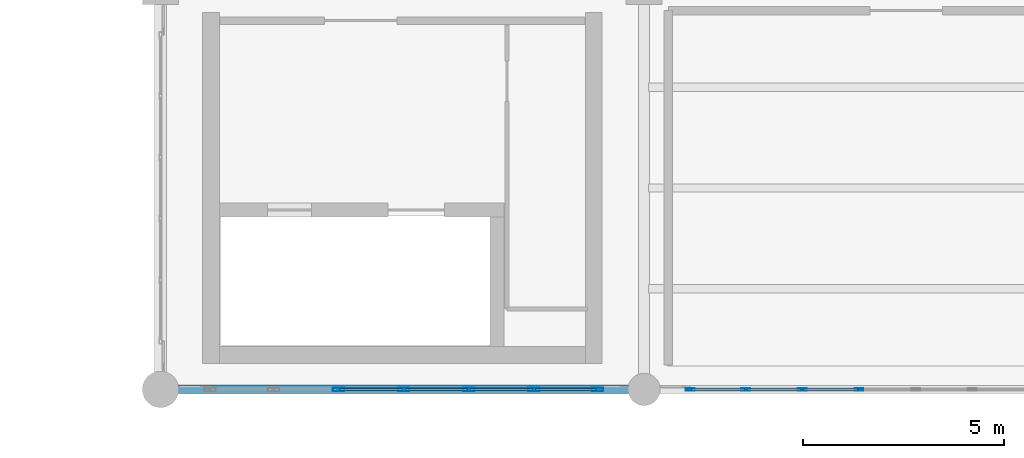
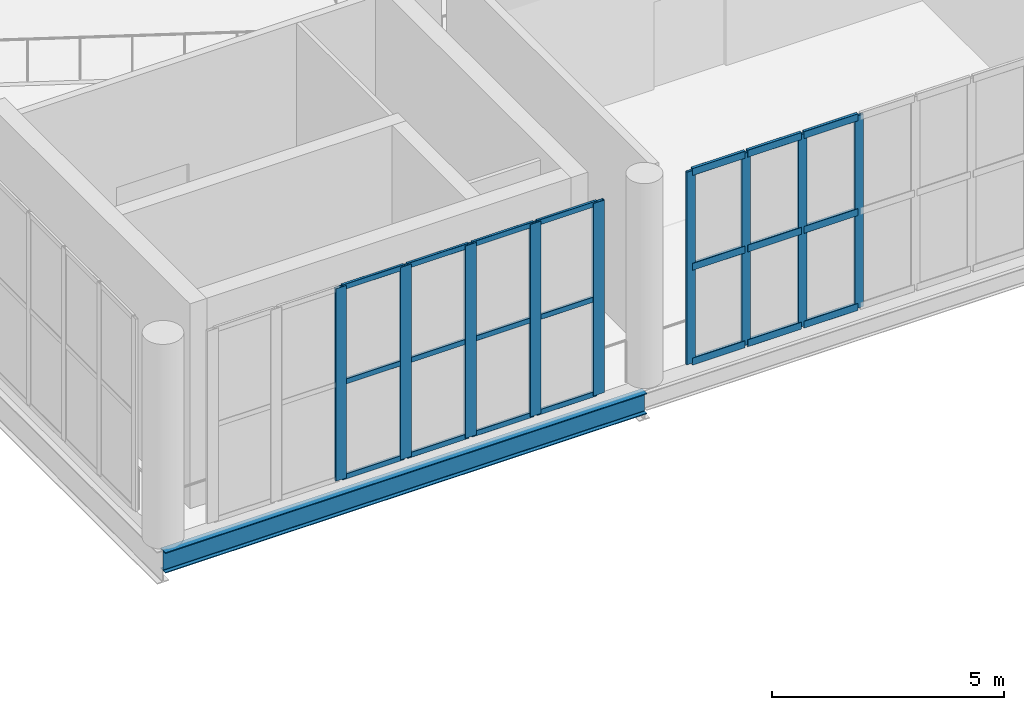
# One storey, part 9 of 74: 30 members, 1 beam, 2 elements without a shape of their own.
"""IFC4 building model written with IfcOpenShell, lengths in metres."""

from ifc_helpers import new_model, si_unit, direction, frame, origin, origin_2d, place, context, subcontext, project, spatial, hollow_rectangle, i_section, extrude, material, layer, layer_set, material_profile, profile_set, type_object, element, aggregate, save


model = new_model("IFC4")

# Units and contexts
model_context = context("Model", 3, precision=1e-05, world=origin(), true_north=direction((0.0, 1.0)))
body_context = subcontext(model_context, "Body", "Model", "MODEL_VIEW")
ifc_project = project(units=[si_unit("LENGTHUNIT", "METRE"), si_unit("AREAUNIT", "SQUARE_METRE"), si_unit("VOLUMEUNIT", "CUBIC_METRE"), si_unit("PLANEANGLEUNIT", "RADIAN"), si_unit("MASSUNIT", "GRAM", prefix="KILO")], contexts=[model_context])

# Site, building, storey
site_placement = place(None, origin())
site = spatial("IfcSite", under=ifc_project, at=site_placement, CompositionType="ELEMENT")
building_placement = place(site_placement, origin())
building = spatial("IfcBuilding", under=site, at=building_placement, Name="Brinegate Civic Arena", CompositionType="ELEMENT")
storey_placement = place(building_placement, frame((0.0, 0.0, 19.199951171875)))
storey = spatial("IfcBuildingStorey", under=building, at=storey_placement, Name="L04", CompositionType="ELEMENT", Elevation=19.199951171875)

# Curtain wall, members
ifc_material_1 = material(Name="Marine grade aluminium", Category="aluminium")
ifc_layer = layer(ifc_material_1, 0.25, Name="Marine grade aluminium")
ifc_layer_set = layer_set([ifc_layer], Name="Marine grade aluminium")
curtain_wall_type = type_object("IfcCurtainWallType", Name="CW-PORTAL-SOUTH-02", PredefinedType="USERDEFINED", material=ifc_layer_set)
curtain_wall_1_placement = place(storey_placement, origin())
curtain_wall_1 = element("IfcCurtainWall", 1, at=curtain_wall_1_placement, inside=storey, type_object=curtain_wall_type, Name="Curtain Wall CWA-147", ObjectType="PORTAL CURTAIN WALL", PredefinedType="USERDEFINED")
ifc_material_profile_1 = material_profile(ifc_material_1, hollow_rectangle(XDim=0.06494140625, YDim=0.219970703125, WallThickness=0.006103515625, InnerFilletRadius=0.00390625, OuterFilletRadius=0.008056640625, at=origin_2d()), Name="MUL65X220")
ifc_profile_set_1 = profile_set([ifc_material_profile_1], Name="Marine grade aluminium")
member_type_1 = type_object("IfcMemberType", Name="CW-MULLION-65X220", PredefinedType="MULLION", material=ifc_profile_set_1)
member_1_placement = place(storey_placement, frame((97.1484375, 0.0, 0.0), z_axis=(0.0, 0.0, 1.0), x_axis=(0.0, 1.0, 0.0)))
member_1 = element("IfcMember", 2, at=member_1_placement, type_object=member_type_1, Name="CWA-147 mullion 1", PredefinedType="MULLION", context=body_context, shape_type="SweptSolid", body=[
    extrude(hollow_rectangle(XDim=0.06494140625, YDim=0.219970703125, WallThickness=0.006103515625, InnerFilletRadius=0.00390625, OuterFilletRadius=0.008056640625, at=origin_2d()), origin(), (0.0, 0.0, 1.0), 5.070068359375),
])
member_2_placement = place(storey_placement, frame((98.521484375, 0.0, 0.0), z_axis=(0.0, 0.0, 1.0), x_axis=(0.0, 1.0, 0.0)))
member_2 = element("IfcMember", 3, at=member_2_placement, type_object=member_type_1, Name="CWA-147 mullion 2", PredefinedType="MULLION", context=body_context, shape_type="SweptSolid", body=[
    extrude(hollow_rectangle(XDim=0.06494140625, YDim=0.219970703125, WallThickness=0.006103515625, InnerFilletRadius=0.00390625, OuterFilletRadius=0.008056640625, at=origin_2d()), origin(), (0.0, 0.0, 1.0), 5.070068359375),
])
member_3_placement = place(storey_placement, frame((99.92724609375, 0.0, 0.0), z_axis=(0.0, 0.0, 1.0), x_axis=(0.0, 1.0, 0.0)))
member_3 = element("IfcMember", 4, at=member_3_placement, type_object=member_type_1, Name="CWA-147 mullion 3", PredefinedType="MULLION", context=body_context, shape_type="SweptSolid", body=[
    extrude(hollow_rectangle(XDim=0.06494140625, YDim=0.219970703125, WallThickness=0.006103515625, InnerFilletRadius=0.00390625, OuterFilletRadius=0.008056640625, at=origin_2d()), origin(), (0.0, 0.0, 1.0), 5.070068359375),
])
member_4_placement = place(storey_placement, frame((101.332763671875, 0.0, 0.0), z_axis=(0.0, 0.0, 1.0), x_axis=(0.0, 1.0, 0.0)))
member_4 = element("IfcMember", 5, at=member_4_placement, type_object=member_type_1, Name="CWA-147 mullion 4", PredefinedType="MULLION", context=body_context, shape_type="SweptSolid", body=[
    extrude(hollow_rectangle(XDim=0.06494140625, YDim=0.219970703125, WallThickness=0.006103515625, InnerFilletRadius=0.00390625, OuterFilletRadius=0.008056640625, at=origin_2d()), origin(), (0.0, 0.0, 1.0), 5.070068359375),
])

curtain_wall_2_placement = place(storey_placement, origin())
curtain_wall_2 = element("IfcCurtainWall", 6, at=curtain_wall_2_placement, inside=storey, type_object=curtain_wall_type, Name="Curtain Wall CWA-145", ObjectType="PORTAL CURTAIN WALL", PredefinedType="USERDEFINED")
ifc_material_profile_2 = material_profile(ifc_material_1, hollow_rectangle(XDim=0.080078125, YDim=0.280029296875, WallThickness=0.007080078125, InnerFilletRadius=0.0048828125, OuterFilletRadius=0.010009765625, at=origin_2d()), Name="MUL80X280")
ifc_profile_set_2 = profile_set([ifc_material_profile_2], Name="Marine grade aluminium")
member_type_2 = type_object("IfcMemberType", Name="CW-MULLION-80X280", PredefinedType="MULLION", material=ifc_profile_set_2)
member_5_placement = place(storey_placement, frame((88.418701171875, 0.0, 0.0), z_axis=(0.0, 0.0, 1.0), x_axis=(0.0, 1.0, 0.0)))
member_5 = element("IfcMember", 7, at=member_5_placement, type_object=member_type_2, Name="CWA-145 mullion 3", PredefinedType="MULLION", context=body_context, shape_type="SweptSolid", body=[
    extrude(hollow_rectangle(XDim=0.080078125, YDim=0.280029296875, WallThickness=0.007080078125, InnerFilletRadius=0.0048828125, OuterFilletRadius=0.010009765625, at=origin_2d()), origin(), (0.0, 0.0, 1.0), 5.070068359375),
])
member_6_placement = place(storey_placement, frame((90.034912109375, 0.0, 0.0), z_axis=(0.0, 0.0, 1.0), x_axis=(0.0, 1.0, 0.0)))
member_6 = element("IfcMember", 8, at=member_6_placement, type_object=member_type_2, Name="CWA-145 mullion 4", PredefinedType="MULLION", context=body_context, shape_type="SweptSolid", body=[
    extrude(hollow_rectangle(XDim=0.080078125, YDim=0.280029296875, WallThickness=0.007080078125, InnerFilletRadius=0.0048828125, OuterFilletRadius=0.010009765625, at=origin_2d()), origin(), (0.0, 0.0, 1.0), 5.070068359375),
])
member_7_placement = place(storey_placement, frame((91.6513671875, 0.0, 0.0), z_axis=(0.0, 0.0, 1.0), x_axis=(0.0, 1.0, 0.0)))
member_7 = element("IfcMember", 9, at=member_7_placement, type_object=member_type_2, Name="CWA-145 mullion 5", PredefinedType="MULLION", context=body_context, shape_type="SweptSolid", body=[
    extrude(hollow_rectangle(XDim=0.080078125, YDim=0.280029296875, WallThickness=0.007080078125, InnerFilletRadius=0.0048828125, OuterFilletRadius=0.010009765625, at=origin_2d()), origin(), (0.0, 0.0, 1.0), 5.070068359375),
])
member_8_placement = place(storey_placement, frame((93.267578125, 0.0, 0.0), z_axis=(0.0, 0.0, 1.0), x_axis=(0.0, 1.0, 0.0)))
member_8 = element("IfcMember", 10, at=member_8_placement, type_object=member_type_2, Name="CWA-145 mullion 6", PredefinedType="MULLION", context=body_context, shape_type="SweptSolid", body=[
    extrude(hollow_rectangle(XDim=0.080078125, YDim=0.280029296875, WallThickness=0.007080078125, InnerFilletRadius=0.0048828125, OuterFilletRadius=0.010009765625, at=origin_2d()), origin(), (0.0, 0.0, 1.0), 5.070068359375),
])
member_9_placement = place(storey_placement, frame((94.843994140625, 0.0, 0.0), z_axis=(0.0, 0.0, 1.0), x_axis=(0.0, 1.0, 0.0)))
member_9 = element("IfcMember", 11, at=member_9_placement, type_object=member_type_2, Name="CWA-145 mullion 7", PredefinedType="MULLION", context=body_context, shape_type="SweptSolid", body=[
    extrude(hollow_rectangle(XDim=0.080078125, YDim=0.280029296875, WallThickness=0.007080078125, InnerFilletRadius=0.0048828125, OuterFilletRadius=0.010009765625, at=origin_2d()), origin(), (0.0, 0.0, 1.0), 5.070068359375),
])
ifc_material_profile_3 = material_profile(ifc_material_1, hollow_rectangle(XDim=0.06494140625, YDim=0.139892578125, WallThickness=0.0048828125, InnerFilletRadius=0.00390625, OuterFilletRadius=0.008056640625, at=origin_2d()), Name="TRN65X140")
ifc_profile_set_3 = profile_set([ifc_material_profile_3], Name="Marine grade aluminium")
member_type_3 = type_object("IfcMemberType", Name="CW-TRANSOM-65X140", PredefinedType="USERDEFINED", material=ifc_profile_set_3)
member_10_placement = place(storey_placement, frame((88.458740234375, 0.0, 0.032470703125), z_axis=(1.0, 0.0, 0.0), x_axis=(0.0, 1.0, 0.0)))
member_10 = element("IfcMember", 12, at=member_10_placement, type_object=member_type_3, Name="CWA-145 transom 3.1", ObjectType="TRANSOM", PredefinedType="USERDEFINED", context=body_context, shape_type="SweptSolid", body=[
    extrude(hollow_rectangle(XDim=0.06494140625, YDim=0.139892578125, WallThickness=0.0048828125, InnerFilletRadius=0.00390625, OuterFilletRadius=0.008056640625, at=origin_2d()), origin(), (0.0, 0.0, 1.0), 1.536376953125),
])
member_11_placement = place(storey_placement, frame((88.458740234375, 0.0, 2.53515625), z_axis=(1.0, 0.0, 0.0), x_axis=(0.0, 1.0, 0.0)))
member_11 = element("IfcMember", 13, at=member_11_placement, type_object=member_type_3, Name="CWA-145 transom 3.2", ObjectType="TRANSOM", PredefinedType="USERDEFINED", context=body_context, shape_type="SweptSolid", body=[
    extrude(hollow_rectangle(XDim=0.06494140625, YDim=0.139892578125, WallThickness=0.0048828125, InnerFilletRadius=0.00390625, OuterFilletRadius=0.008056640625, at=origin_2d()), origin(), (0.0, 0.0, 1.0), 1.536376953125),
])
member_12_placement = place(storey_placement, frame((88.458740234375, 0.0, 5.03759765625), z_axis=(1.0, 0.0, 0.0), x_axis=(0.0, 1.0, 0.0)))
member_12 = element("IfcMember", 14, at=member_12_placement, type_object=member_type_3, Name="CWA-145 transom 3.3", ObjectType="TRANSOM", PredefinedType="USERDEFINED", context=body_context, shape_type="SweptSolid", body=[
    extrude(hollow_rectangle(XDim=0.06494140625, YDim=0.139892578125, WallThickness=0.0048828125, InnerFilletRadius=0.00390625, OuterFilletRadius=0.008056640625, at=origin_2d()), origin(), (0.0, 0.0, 1.0), 1.536376953125),
])
member_13_placement = place(storey_placement, frame((90.074951171875, 0.0, 0.032470703125), z_axis=(1.0, 0.0, 0.0), x_axis=(0.0, 1.0, 0.0)))
member_13 = element("IfcMember", 15, at=member_13_placement, type_object=member_type_3, Name="CWA-145 transom 4.1", ObjectType="TRANSOM", PredefinedType="USERDEFINED", context=body_context, shape_type="SweptSolid", body=[
    extrude(hollow_rectangle(XDim=0.06494140625, YDim=0.139892578125, WallThickness=0.0048828125, InnerFilletRadius=0.00390625, OuterFilletRadius=0.008056640625, at=origin_2d()), origin(), (0.0, 0.0, 1.0), 1.536376953125),
])
member_14_placement = place(storey_placement, frame((90.074951171875, 0.0, 2.53515625), z_axis=(1.0, 0.0, 0.0), x_axis=(0.0, 1.0, 0.0)))
member_14 = element("IfcMember", 16, at=member_14_placement, type_object=member_type_3, Name="CWA-145 transom 4.2", ObjectType="TRANSOM", PredefinedType="USERDEFINED", context=body_context, shape_type="SweptSolid", body=[
    extrude(hollow_rectangle(XDim=0.06494140625, YDim=0.139892578125, WallThickness=0.0048828125, InnerFilletRadius=0.00390625, OuterFilletRadius=0.008056640625, at=origin_2d()), origin(), (0.0, 0.0, 1.0), 1.536376953125),
])
member_15_placement = place(storey_placement, frame((90.074951171875, 0.0, 5.03759765625), z_axis=(1.0, 0.0, 0.0), x_axis=(0.0, 1.0, 0.0)))
member_15 = element("IfcMember", 17, at=member_15_placement, type_object=member_type_3, Name="CWA-145 transom 4.3", ObjectType="TRANSOM", PredefinedType="USERDEFINED", context=body_context, shape_type="SweptSolid", body=[
    extrude(hollow_rectangle(XDim=0.06494140625, YDim=0.139892578125, WallThickness=0.0048828125, InnerFilletRadius=0.00390625, OuterFilletRadius=0.008056640625, at=origin_2d()), origin(), (0.0, 0.0, 1.0), 1.536376953125),
])
member_16_placement = place(storey_placement, frame((91.69140625, 0.0, 0.032470703125), z_axis=(1.0, 0.0, 0.0), x_axis=(0.0, 1.0, 0.0)))
member_16 = element("IfcMember", 18, at=member_16_placement, type_object=member_type_3, Name="CWA-145 transom 5.1", ObjectType="TRANSOM", PredefinedType="USERDEFINED", context=body_context, shape_type="SweptSolid", body=[
    extrude(hollow_rectangle(XDim=0.06494140625, YDim=0.139892578125, WallThickness=0.0048828125, InnerFilletRadius=0.00390625, OuterFilletRadius=0.008056640625, at=origin_2d()), origin(), (0.0, 0.0, 1.0), 1.536376953125),
])
member_17_placement = place(storey_placement, frame((91.69140625, 0.0, 2.53515625), z_axis=(1.0, 0.0, 0.0), x_axis=(0.0, 1.0, 0.0)))
member_17 = element("IfcMember", 19, at=member_17_placement, type_object=member_type_3, Name="CWA-145 transom 5.2", ObjectType="TRANSOM", PredefinedType="USERDEFINED", context=body_context, shape_type="SweptSolid", body=[
    extrude(hollow_rectangle(XDim=0.06494140625, YDim=0.139892578125, WallThickness=0.0048828125, InnerFilletRadius=0.00390625, OuterFilletRadius=0.008056640625, at=origin_2d()), origin(), (0.0, 0.0, 1.0), 1.536376953125),
])
member_18_placement = place(storey_placement, frame((91.69140625, 0.0, 5.03759765625), z_axis=(1.0, 0.0, 0.0), x_axis=(0.0, 1.0, 0.0)))
member_18 = element("IfcMember", 20, at=member_18_placement, type_object=member_type_3, Name="CWA-145 transom 5.3", ObjectType="TRANSOM", PredefinedType="USERDEFINED", context=body_context, shape_type="SweptSolid", body=[
    extrude(hollow_rectangle(XDim=0.06494140625, YDim=0.139892578125, WallThickness=0.0048828125, InnerFilletRadius=0.00390625, OuterFilletRadius=0.008056640625, at=origin_2d()), origin(), (0.0, 0.0, 1.0), 1.536376953125),
])
member_19_placement = place(storey_placement, frame((93.3076171875, 0.0, 0.032470703125), z_axis=(1.0, 0.0, 0.0), x_axis=(0.0, 1.0, 0.0)))
member_19 = element("IfcMember", 21, at=member_19_placement, type_object=member_type_3, Name="CWA-145 transom 6.1", ObjectType="TRANSOM", PredefinedType="USERDEFINED", context=body_context, shape_type="SweptSolid", body=[
    extrude(hollow_rectangle(XDim=0.06494140625, YDim=0.139892578125, WallThickness=0.0048828125, InnerFilletRadius=0.00390625, OuterFilletRadius=0.008056640625, at=origin_2d()), origin(), (0.0, 0.0, 1.0), 1.496337890625),
])
member_20_placement = place(storey_placement, frame((93.3076171875, 0.0, 2.53515625), z_axis=(1.0, 0.0, 0.0), x_axis=(0.0, 1.0, 0.0)))
member_20 = element("IfcMember", 22, at=member_20_placement, type_object=member_type_3, Name="CWA-145 transom 6.2", ObjectType="TRANSOM", PredefinedType="USERDEFINED", context=body_context, shape_type="SweptSolid", body=[
    extrude(hollow_rectangle(XDim=0.06494140625, YDim=0.139892578125, WallThickness=0.0048828125, InnerFilletRadius=0.00390625, OuterFilletRadius=0.008056640625, at=origin_2d()), origin(), (0.0, 0.0, 1.0), 1.496337890625),
])
member_21_placement = place(storey_placement, frame((93.3076171875, 0.0, 5.03759765625), z_axis=(1.0, 0.0, 0.0), x_axis=(0.0, 1.0, 0.0)))
member_21 = element("IfcMember", 23, at=member_21_placement, type_object=member_type_3, Name="CWA-145 transom 6.3", ObjectType="TRANSOM", PredefinedType="USERDEFINED", context=body_context, shape_type="SweptSolid", body=[
    extrude(hollow_rectangle(XDim=0.06494140625, YDim=0.139892578125, WallThickness=0.0048828125, InnerFilletRadius=0.00390625, OuterFilletRadius=0.008056640625, at=origin_2d()), origin(), (0.0, 0.0, 1.0), 1.496337890625),
])
aggregate(curtain_wall_2, [member_5, member_6, member_7, member_8, member_9, member_10, member_11, member_12, member_13, member_14, member_15, member_16, member_17, member_18, member_19, member_20, member_21])

# Member
ifc_material_profile_4 = material_profile(ifc_material_1, hollow_rectangle(XDim=0.074951171875, YDim=0.18994140625, WallThickness=0.006103515625, InnerFilletRadius=0.00390625, OuterFilletRadius=0.008056640625, at=origin_2d()), Name="TRN75X190")
ifc_profile_set_4 = profile_set([ifc_material_profile_4], Name="Marine grade aluminium")
member_type_4 = type_object("IfcMemberType", Name="CW-TRANSOM-75X190", PredefinedType="USERDEFINED", material=ifc_profile_set_4)
member_22_placement = place(storey_placement, frame((97.180908203125, 0.0, 0.03759765625), z_axis=(1.0, 0.0, 0.0), x_axis=(0.0, 1.0, 0.0)))
member_22 = element("IfcMember", 24, at=member_22_placement, type_object=member_type_4, Name="CWA-147 transom 1.1", ObjectType="TRANSOM", PredefinedType="USERDEFINED", context=body_context, shape_type="SweptSolid", body=[
    extrude(hollow_rectangle(XDim=0.074951171875, YDim=0.18994140625, WallThickness=0.006103515625, InnerFilletRadius=0.00390625, OuterFilletRadius=0.008056640625, at=origin_2d()), origin(), (0.0, 0.0, 1.0), 1.30810546875),
])

member_23_placement = place(storey_placement, frame((97.180908203125, 0.0, 2.53515625), z_axis=(1.0, 0.0, 0.0), x_axis=(0.0, 1.0, 0.0)))
member_23 = element("IfcMember", 25, at=member_23_placement, type_object=member_type_4, Name="CWA-147 transom 1.2", ObjectType="TRANSOM", PredefinedType="USERDEFINED", context=body_context, shape_type="SweptSolid", body=[
    extrude(hollow_rectangle(XDim=0.074951171875, YDim=0.18994140625, WallThickness=0.006103515625, InnerFilletRadius=0.00390625, OuterFilletRadius=0.008056640625, at=origin_2d()), origin(), (0.0, 0.0, 1.0), 1.30810546875),
])

member_24_placement = place(storey_placement, frame((97.180908203125, 0.0, 5.032470703125), z_axis=(1.0, 0.0, 0.0), x_axis=(0.0, 1.0, 0.0)))
member_24 = element("IfcMember", 26, at=member_24_placement, type_object=member_type_4, Name="CWA-147 transom 1.3", ObjectType="TRANSOM", PredefinedType="USERDEFINED", context=body_context, shape_type="SweptSolid", body=[
    extrude(hollow_rectangle(XDim=0.074951171875, YDim=0.18994140625, WallThickness=0.006103515625, InnerFilletRadius=0.00390625, OuterFilletRadius=0.008056640625, at=origin_2d()), origin(), (0.0, 0.0, 1.0), 1.30810546875),
])

member_25_placement = place(storey_placement, frame((98.553955078125, 0.0, 0.03759765625), z_axis=(1.0, 0.0, 0.0), x_axis=(0.0, 1.0, 0.0)))
member_25 = element("IfcMember", 27, at=member_25_placement, type_object=member_type_4, Name="CWA-147 transom 2.1", ObjectType="TRANSOM", PredefinedType="USERDEFINED", context=body_context, shape_type="SweptSolid", body=[
    extrude(hollow_rectangle(XDim=0.074951171875, YDim=0.18994140625, WallThickness=0.006103515625, InnerFilletRadius=0.00390625, OuterFilletRadius=0.008056640625, at=origin_2d()), origin(), (0.0, 0.0, 1.0), 1.340576171875),
])

member_26_placement = place(storey_placement, frame((98.553955078125, 0.0, 2.53515625), z_axis=(1.0, 0.0, 0.0), x_axis=(0.0, 1.0, 0.0)))
member_26 = element("IfcMember", 28, at=member_26_placement, type_object=member_type_4, Name="CWA-147 transom 2.2", ObjectType="TRANSOM", PredefinedType="USERDEFINED", context=body_context, shape_type="SweptSolid", body=[
    extrude(hollow_rectangle(XDim=0.074951171875, YDim=0.18994140625, WallThickness=0.006103515625, InnerFilletRadius=0.00390625, OuterFilletRadius=0.008056640625, at=origin_2d()), origin(), (0.0, 0.0, 1.0), 1.340576171875),
])

member_27_placement = place(storey_placement, frame((98.553955078125, 0.0, 5.032470703125), z_axis=(1.0, 0.0, 0.0), x_axis=(0.0, 1.0, 0.0)))
member_27 = element("IfcMember", 29, at=member_27_placement, type_object=member_type_4, Name="CWA-147 transom 2.3", ObjectType="TRANSOM", PredefinedType="USERDEFINED", context=body_context, shape_type="SweptSolid", body=[
    extrude(hollow_rectangle(XDim=0.074951171875, YDim=0.18994140625, WallThickness=0.006103515625, InnerFilletRadius=0.00390625, OuterFilletRadius=0.008056640625, at=origin_2d()), origin(), (0.0, 0.0, 1.0), 1.340576171875),
])

member_28_placement = place(storey_placement, frame((99.959716796875, 0.0, 0.03759765625), z_axis=(1.0, 0.0, 0.0), x_axis=(0.0, 1.0, 0.0)))
member_28 = element("IfcMember", 30, at=member_28_placement, type_object=member_type_4, Name="CWA-147 transom 3.1", ObjectType="TRANSOM", PredefinedType="USERDEFINED", context=body_context, shape_type="SweptSolid", body=[
    extrude(hollow_rectangle(XDim=0.074951171875, YDim=0.18994140625, WallThickness=0.006103515625, InnerFilletRadius=0.00390625, OuterFilletRadius=0.008056640625, at=origin_2d()), origin(), (0.0, 0.0, 1.0), 1.340576171875),
])

member_29_placement = place(storey_placement, frame((99.959716796875, 0.0, 2.53515625), z_axis=(1.0, 0.0, 0.0), x_axis=(0.0, 1.0, 0.0)))
member_29 = element("IfcMember", 31, at=member_29_placement, type_object=member_type_4, Name="CWA-147 transom 3.2", ObjectType="TRANSOM", PredefinedType="USERDEFINED", context=body_context, shape_type="SweptSolid", body=[
    extrude(hollow_rectangle(XDim=0.074951171875, YDim=0.18994140625, WallThickness=0.006103515625, InnerFilletRadius=0.00390625, OuterFilletRadius=0.008056640625, at=origin_2d()), origin(), (0.0, 0.0, 1.0), 1.340576171875),
])

member_30_placement = place(storey_placement, frame((99.959716796875, 0.0, 5.032470703125), z_axis=(1.0, 0.0, 0.0), x_axis=(0.0, 1.0, 0.0)))
member_30 = element("IfcMember", 32, at=member_30_placement, type_object=member_type_4, Name="CWA-147 transom 3.3", ObjectType="TRANSOM", PredefinedType="USERDEFINED", context=body_context, shape_type="SweptSolid", body=[
    extrude(hollow_rectangle(XDim=0.074951171875, YDim=0.18994140625, WallThickness=0.006103515625, InnerFilletRadius=0.00390625, OuterFilletRadius=0.008056640625, at=origin_2d()), origin(), (0.0, 0.0, 1.0), 1.340576171875),
])

aggregate(curtain_wall_1, [member_1, member_2, member_3, member_4, member_22, member_23, member_24, member_25, member_26, member_27, member_28, member_29, member_30])

# Beam
ifc_material_2 = material(Name="Steel S355", Category="steel")
ifc_material_profile_5 = material_profile(ifc_material_2, i_section(OverallWidth=0.2119140625, OverallDepth=0.5439453125, WebThickness=0.012939453125, FlangeThickness=0.02099609375, FilletRadius=0.01611328125, at=origin_2d()), Name="W530X123")
ifc_profile_set_5 = profile_set([ifc_material_profile_5], Name="Steel S355")
beam_type = type_object("IfcBeamType", Name="SPANDREL-W530X123", PredefinedType="SPANDREL", material=ifc_profile_set_5)
beam_placement = place(storey_placement, frame((84.0, 0.0, -0.612060546875), z_axis=(1.0, 0.0, 0.0), x_axis=(0.0, 1.0, 0.0)))
element("IfcBeam", 33, at=beam_placement, inside=storey, type_object=beam_type, Name="Floor Girder BM-L04-GX-07-00", PredefinedType="SPANDREL", context=body_context, shape_type="SweptSolid", body=[
    extrude(i_section(OverallWidth=0.2119140625, OverallDepth=0.5439453125, WebThickness=0.012939453125, FlangeThickness=0.02099609375, FilletRadius=0.01611328125, at=origin_2d()), origin(), (0.0, 0.0, 1.0), 12.0),
])

save(model, "model.ifc")
